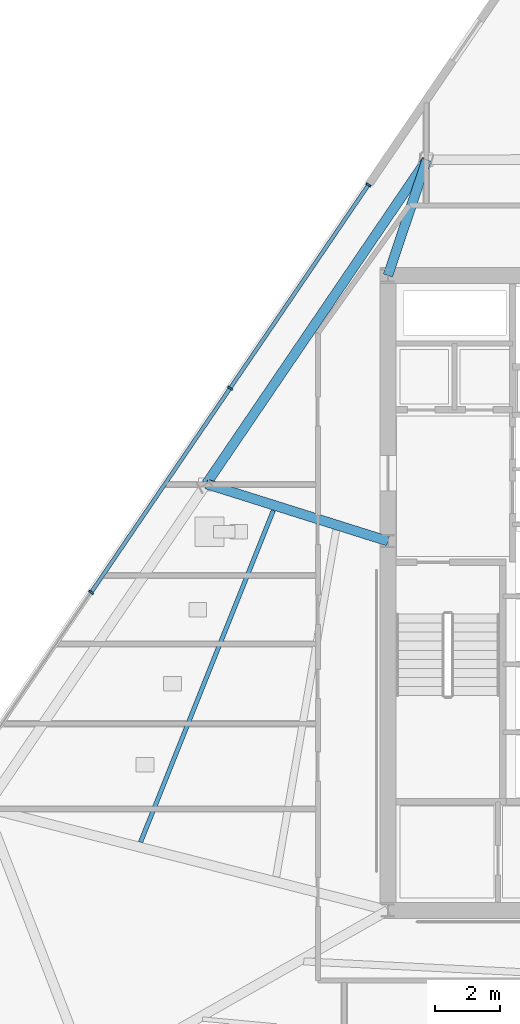
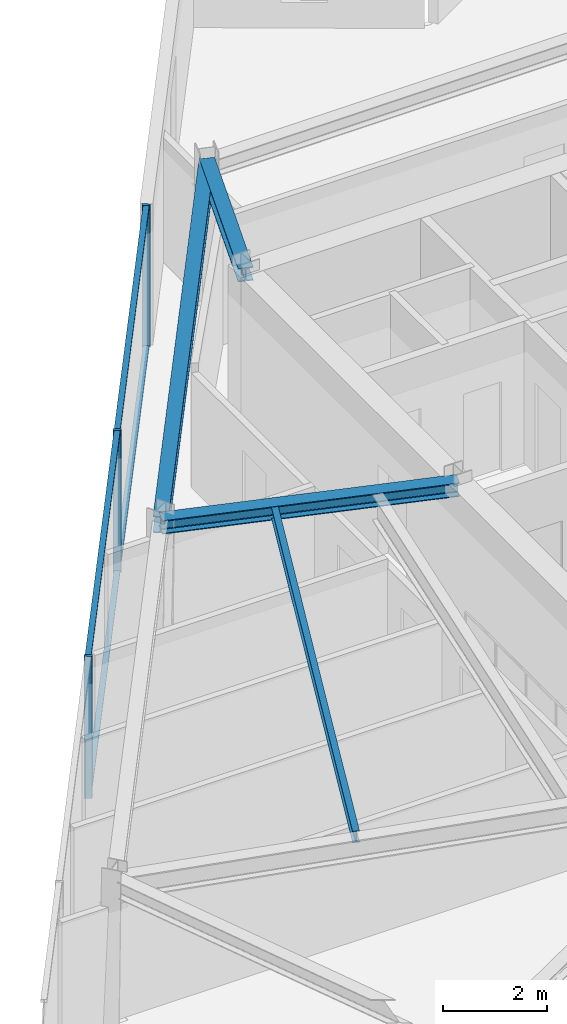
# One storey, part 4 of 15: 7 members, 4 beams, 1 element without a shape of its own.
"""IFC4 building model written with IfcOpenShell, lengths in metres."""

import ifcopenshell
import ifcopenshell.guid

model = None  # the IFC model being written
_history = None  # IfcOwnerHistory: only IFC2X3 demands one
_inside = {}  # id of a spatial element -> (the spatial element, [elements in it])
_under = {}  # id of a project, library or spatial element -> (it, [spatial elements below it])
_declared = {}  # id of a project -> (the project, [libraries it declares])
_typed = {}  # id of a type object -> (the type object, [elements of that type])
_made_of = {}  # id of a material, layer set ... -> (it, [elements and type objects made of it])


def new_model(schema):
    """Start an empty IFC model of exactly this schema.

    Asked for "IFC4X3", IfcOpenShell would pick the latest addendum, in which some entities
    have other attributes; the version numbers below select the first issue.
    IFC2X3 requires an IfcOwnerHistory on every rooted entity: one is made here for all.
    """
    global model, _history
    if schema == "IFC4X3":
        model = ifcopenshell.file(schema_version=(4, 3, 0, 0))
    else:
        model = ifcopenshell.file(schema=schema)
    _inside.clear()
    _under.clear()
    _declared.clear()
    _typed.clear()
    _made_of.clear()
    _history = None
    if model.schema == "IFC2X3":
        org = make("IfcOrganization", Name="unknown")
        user = make(
            "IfcPersonAndOrganization",
            ThePerson=make("IfcPerson", FamilyName="unknown"),
            TheOrganization=org,
        )
        app = make(
            "IfcApplication",
            ApplicationDeveloper=org,
            Version="unknown",
            ApplicationFullName="unknown",
            ApplicationIdentifier="unknown",
        )
        _history = make(
            "IfcOwnerHistory",
            OwningUser=user,
            OwningApplication=app,
            ChangeAction="ADDED",
            CreationDate=0,
        )
    return model


def make(cls, **values):
    """One entity of the class cls with the attributes given. An attribute that is None is left unset."""
    return model.create_entity(
        cls, **{name: value for name, value in values.items() if value is not None}
    )


def rooted(cls, **values):
    """An entity with a GlobalId (a new one), such as an element, a storey or a relation."""
    return make(cls, GlobalId=ifcopenshell.guid.new(), OwnerHistory=_history, **values)


def si_unit(unit_type, name, prefix=None):
    """IfcSIUnit, for example si_unit("LENGTHUNIT", "METRE", prefix="MILLI")."""
    return make("IfcSIUnit", UnitType=unit_type, Prefix=prefix, Name=name)


def assignment(units):
    """IfcUnitAssignment: the units of a project."""
    return None if units is None else make("IfcUnitAssignment", Units=units)


def point(xyz):
    """IfcCartesianPoint."""
    return None if xyz is None else make("IfcCartesianPoint", Coordinates=xyz)


def direction(xyz):
    """IfcDirection."""
    return None if xyz is None else make("IfcDirection", DirectionRatios=xyz)


def frame(location, z_axis=None, x_axis=None):
    """IfcAxis2Placement3D, a coordinate frame: its origin and axes. An axis left out is left unset."""
    return make(
        "IfcAxis2Placement3D",
        Location=point(location),
        Axis=direction(z_axis),
        RefDirection=direction(x_axis),
    )


def frame_2d(location, x_axis=None):
    """IfcAxis2Placement2D, a coordinate frame in the plane: its origin and x axis."""
    return make(
        "IfcAxis2Placement2D", Location=point(location), RefDirection=direction(x_axis)
    )


def origin():
    """The frame at (0, 0, 0) with its axes left unset."""
    return frame((0.0, 0.0, 0.0))


def origin_2d():
    """The frame at (0, 0) in the plane with its x axis left unset."""
    return frame_2d((0.0, 0.0))


def place(relative_to, where):
    """IfcLocalPlacement: puts the frame where relative to a parent placement (None: the world)."""
    return make(
        "IfcLocalPlacement", PlacementRelTo=relative_to, RelativePlacement=where
    )


def context(
    kind, dimensions, precision=None, world=None, true_north=None, identifier=None
):
    """IfcGeometricRepresentationContext, for example the 3D "Model" context."""
    return make(
        "IfcGeometricRepresentationContext",
        ContextIdentifier=identifier,
        ContextType=kind,
        CoordinateSpaceDimension=dimensions,
        Precision=precision,
        WorldCoordinateSystem=world,
        TrueNorth=true_north,
    )


def subcontext(parent, identifier, kind, view, scale=None):
    """IfcGeometricRepresentationSubContext, for example "Body" below "Model"."""
    return make(
        "IfcGeometricRepresentationSubContext",
        ContextIdentifier=identifier,
        ContextType=kind,
        ParentContext=parent,
        TargetScale=scale,
        TargetView=view,
    )


def project(units=None, contexts=None):
    """IfcProject with its units and contexts."""
    return rooted(
        "IfcProject",
        Name="project",
        RepresentationContexts=contexts,
        UnitsInContext=assignment(units),
    )


def spatial(cls, under=None, at=None, **own):
    """A site, building, storey or space (cls), placed at a placement, below another one or the project."""
    s = rooted(cls, ObjectPlacement=at, **own)
    if under is not None:
        _under.setdefault(under.id(), (under, []))[1].append(s)
    return s


def profile(cls, at=None, kind="AREA", **sizes):
    """A parametric profile (cls). Its sizes go by their IFC names, for example OverallWidth=200.0."""
    return make(cls, ProfileType=kind, Position=at, **sizes)


def rectangle(**sizes):
    """IfcRectangleProfileDef."""
    return profile("IfcRectangleProfileDef", **sizes)


def i_section(**sizes):
    """IfcIShapeProfileDef."""
    return profile("IfcIShapeProfileDef", **sizes)


def extrude(swept, where, along, depth):
    """IfcExtrudedAreaSolid: the profile swept, set in the frame where, extruded along a direction by depth."""
    return make(
        "IfcExtrudedAreaSolid",
        SweptArea=swept,
        Position=where,
        ExtrudedDirection=direction(along),
        Depth=depth,
    )


def shape(context_of_items, identifier, shape_type, items):
    """IfcShapeRepresentation: the items that make up one representation, for example the "Body"."""
    return make(
        "IfcShapeRepresentation",
        ContextOfItems=context_of_items,
        RepresentationIdentifier=identifier,
        RepresentationType=shape_type,
        Items=items,
    )


def material(Name=None, Category=None):
    """IfcMaterial."""
    return make("IfcMaterial", Name=Name, Category=Category)


def material_profile(
    of_material, cross_section, Name=None, Category=None, Priority=None
):
    """IfcMaterialProfile: a cross section and its material."""
    return make(
        "IfcMaterialProfile",
        Name=Name,
        Material=of_material,
        Profile=cross_section,
        Priority=Priority,
        Category=Category,
    )


def profile_set(profiles, Name=None, composite=None):
    """IfcMaterialProfileSet."""
    return make(
        "IfcMaterialProfileSet",
        Name=Name,
        MaterialProfiles=profiles,
        CompositeProfile=composite,
    )


def made_of(thing, what):
    """Note that an element or type object is made of a material, layer set ...; save() writes the relation."""
    if what is not None:
        _made_of.setdefault(what.id(), (what, []))[1].append(thing)
    return thing


def type_object(cls, material=None, **own):
    """A type object (cls), such as IfcWallType, which elements share."""
    return made_of(rooted(cls, **own), material)


def element(
    cls,
    number,
    at=None,
    inside=None,
    cuts=None,
    type_object=None,
    material=None,
    context=None,
    identifier="Body",
    shape_type=None,
    held_by="IfcProductDefinitionShape",
    body=None,
    shapes=None,
    **own,
):
    """One element of the class cls, such as IfcWall. Its Tag is "e" and its number.

    at: its placement. inside: the storey or other place that contains it. cuts: it is an
    opening in that element (IfcRelVoidsElement). A single representation is given by context,
    identifier, shape_type and body (its items); several are given by shapes. held_by: the class
    of the entity that holds the representations. save() writes the other relations.
    """
    e = rooted(cls, Tag="e%d" % number, ObjectPlacement=at, **own)
    if body is not None:
        shapes = [shape(context, identifier, shape_type, body)]
    if shapes is not None:
        e.Representation = make(held_by, Representations=shapes)
    if inside is not None:
        _inside.setdefault(inside.id(), (inside, []))[1].append(e)
    if cuts is not None:
        rooted(
            "IfcRelVoidsElement", RelatingBuildingElement=cuts, RelatedOpeningElement=e
        )
    if type_object is not None:
        _typed.setdefault(type_object.id(), (type_object, []))[1].append(e)
    return made_of(e, material)


def aggregate(whole, parts):
    """IfcRelAggregates: a whole, such as a stair, and the parts it consists of."""
    return rooted("IfcRelAggregates", RelatingObject=whole, RelatedObjects=parts)


def save(model, path):
    """Write the relations noted so far, then the file.

    IfcRelAggregates (storeys below a building ...), IfcRelContainedInSpatialStructure (elements
    in a storey), IfcRelDefinesByType, IfcRelAssociatesMaterial and IfcRelDeclares: one each for
    every whole, place, type object, material and project.
    """
    for whole, parts in _under.values():
        aggregate(whole, parts)
    for where, things in _inside.values():
        rooted(
            "IfcRelContainedInSpatialStructure",
            RelatedElements=things,
            RelatingStructure=where,
        )
    for kind, things in _typed.values():
        rooted("IfcRelDefinesByType", RelatedObjects=things, RelatingType=kind)
    for what, things in _made_of.values():
        rooted("IfcRelAssociatesMaterial", RelatedObjects=things, RelatingMaterial=what)
    for by, libraries in _declared.values():
        rooted("IfcRelDeclares", RelatingContext=by, RelatedDefinitions=libraries)
    model.write(path)


model = new_model("IFC4")

# Units and contexts
model_context = context("Model", 3, precision=1e-05, world=origin(), true_north=direction((0.0, 1.0)))
body_context = subcontext(model_context, "Body", "Model", "MODEL_VIEW")
ifc_project = project(units=[si_unit("LENGTHUNIT", "METRE"), si_unit("AREAUNIT", "SQUARE_METRE"), si_unit("VOLUMEUNIT", "CUBIC_METRE"), si_unit("PLANEANGLEUNIT", "RADIAN"), si_unit("MASSUNIT", "GRAM", prefix="KILO")], contexts=[model_context])

# Site, building, storey
site_placement = place(None, origin())
site = spatial("IfcSite", under=ifc_project, at=site_placement, CompositionType="ELEMENT")
building_placement = place(site_placement, origin())
building = spatial("IfcBuilding", under=site, at=building_placement, Name="Savorim Split Tower", CompositionType="ELEMENT")
storey_placement = place(building_placement, frame((0.0, 0.0, 198.300048828125)))
storey = spatial("IfcBuildingStorey", under=building, at=storey_placement, Name="L52", CompositionType="ELEMENT", Elevation=198.300048828125)

# Beams
ifc_material_1 = material(Name="Steel S355", Category="steel")
ifc_material_profile_1 = material_profile(ifc_material_1, i_section(OverallWidth=0.135009765625, OverallDepth=0.27001953125, WebThickness=0.006591796875, FlangeThickness=0.01025390625, FilletRadius=0.014892578125, at=origin_2d()), Name="IPE 270")
ifc_profile_set_1 = profile_set([ifc_material_profile_1], Name="Steel S355")
beam_type_1 = type_object("IfcBeamType", Name="BM-JST-IPE270", PredefinedType="JOIST", material=ifc_profile_set_1)
beam_1_placement = place(storey_placement, frame((-11.236572265625, 2.947509765625, 3.21484375), z_axis=(-0.371802883769, -0.928311701758, 0.0), x_axis=(0.928311701758, -0.371802883769, 0.0)))
element("IfcBeam", 1, at=beam_1_placement, inside=storey, type_object=beam_type_1, Name="L52 Secondary Floor Joist JS-10", PredefinedType="JOIST", context=body_context, shape_type="SweptSolid", body=[
    extrude(i_section(OverallWidth=0.135009765625, OverallDepth=0.27001953125, WebThickness=0.006591796875, FlangeThickness=0.01025390625, FilletRadius=0.014892578125, at=origin_2d()), origin(), (0.0, 0.0, 1.0), 11.027587890625),
])
ifc_material_profile_2 = material_profile(ifc_material_1, i_section(OverallWidth=0.300048828125, OverallDepth=0.320068359375, WebThickness=0.011474609375, FlangeThickness=0.0205078125, FilletRadius=0.027099609375, at=origin_2d()), Name="HEB 320")
ifc_profile_set_2 = profile_set([ifc_material_profile_2], Name="Steel S355")
beam_type_2 = type_object("IfcBeamType", Name="BM-PRI-HEB320", PredefinedType="BEAM", material=ifc_profile_set_2)
beam_2_placement = place(storey_placement, frame((-6.5029296875, 13.771240234375, 3.18994140625), z_axis=(-0.317802406346, -0.948156965128, 0.0), x_axis=(0.948156965128, -0.317802406346, 0.0)))
element("IfcBeam", 2, at=beam_2_placement, inside=storey, type_object=beam_type_2, Name="L52 Primary Floor Girder RG-08", PredefinedType="BEAM", context=body_context, shape_type="SweptSolid", body=[
    extrude(i_section(OverallWidth=0.300048828125, OverallDepth=0.320068359375, WebThickness=0.011474609375, FlangeThickness=0.0205078125, FilletRadius=0.027099609375, at=origin_2d()), origin(), (0.0, 0.0, 1.0), 3.7666015625),
])
beam_3_placement = place(storey_placement, frame((-13.30810546875, 3.767822265625, 3.18994140625), z_axis=(0.953737529893, -0.300640523005, 0.0), x_axis=(0.300640523005, 0.953737529893, 0.0)))
element("IfcBeam", 3, at=beam_3_placement, inside=storey, type_object=beam_type_2, Name="L52 Primary Floor Girder RG-09", PredefinedType="BEAM", context=body_context, shape_type="SweptSolid", body=[
    extrude(i_section(OverallWidth=0.300048828125, OverallDepth=0.320068359375, WebThickness=0.011474609375, FlangeThickness=0.0205078125, FilletRadius=0.027099609375, at=origin_2d()), origin(), (0.0, 0.0, 1.0), 5.880126953125),
])
ifc_material_profile_3 = material_profile(ifc_material_1, i_section(OverallWidth=0.300048828125, OverallDepth=0.389892578125, WebThickness=0.010986328125, FlangeThickness=0.01904296875, FilletRadius=0.027099609375, at=origin_2d()), Name="HEA 400")
ifc_profile_set_3 = profile_set([ifc_material_profile_3], Name="Steel S355")
beam_type_3 = type_object("IfcBeamType", Name="BM-SPN-HEA400", PredefinedType="SPANDREL", material=ifc_profile_set_3)
beam_4_placement = place(storey_placement, frame((-6.5029296875, 13.771240234375, 3.155029296875), z_axis=(-0.562471178292, -0.82681689242, 0.0), x_axis=(0.82681689242, -0.562471178292, 0.0)))
element("IfcBeam", 4, at=beam_4_placement, inside=storey, type_object=beam_type_3, Name="L52 Perimeter Spandrel Beam 8", PredefinedType="SPANDREL", context=body_context, shape_type="SweptSolid", body=[
    extrude(i_section(OverallWidth=0.300048828125, OverallDepth=0.389892578125, WebThickness=0.010986328125, FlangeThickness=0.01904296875, FilletRadius=0.027099609375, at=origin_2d()), origin(), (0.0, 0.0, 1.0), 12.0986328125),
])

# Curtain wall, members
ifc_material_2 = material(Name="Dark Ceramic-Fritted Insulated Glass", Category="glass")
curtain_wall_type = type_object("IfcCurtainWallType", Name="CW-TWR-FRIT-B", PredefinedType="NOTDEFINED", material=ifc_material_2)
curtain_wall_placement = place(storey_placement, origin())
curtain_wall = element("IfcCurtainWall", 5, at=curtain_wall_placement, inside=storey, type_object=curtain_wall_type, Name="L52 Curtain Wall CW-L52-WEST", PredefinedType="NOTDEFINED")
ifc_material_3 = material(Name="Charcoal Anodised Aluminium", Category="aluminium")
ifc_material_profile_4 = material_profile(ifc_material_3, rectangle(XDim=0.159912109375, YDim=0.06005859375, at=origin_2d()), Name="ALU-M 160x60")
ifc_profile_set_4 = profile_set([ifc_material_profile_4], Name="Charcoal Anodised Aluminium")
member_type_1 = type_object("IfcMemberType", Name="CWM-160x60", PredefinedType="MULLION", material=ifc_profile_set_4)
member_1_placement = place(storey_placement, frame((-8.30078125, 13.0009765625, 0.0), z_axis=(0.0, 0.0, 1.0), x_axis=(0.826820907104, -0.562465276773, 0.0)))
member_1 = element("IfcMember", 6, at=member_1_placement, type_object=member_type_1, Name="CW-03 mullion 1", PredefinedType="MULLION", context=body_context, shape_type="SweptSolid", body=[
    extrude(rectangle(XDim=0.159912109375, YDim=0.06005859375, at=origin_2d()), origin(), (0.0, 0.0, 1.0), 3.349853515625),
])
member_2_placement = place(storey_placement, frame((-12.57177734375, 6.72265625, 0.0), z_axis=(0.0, 0.0, 1.0), x_axis=(0.826820907104, -0.562465276773, 0.0)))
member_2 = element("IfcMember", 7, at=member_2_placement, type_object=member_type_1, Name="CW-03 mullion 2", PredefinedType="MULLION", context=body_context, shape_type="SweptSolid", body=[
    extrude(rectangle(XDim=0.159912109375, YDim=0.06005859375, at=origin_2d()), origin(), (0.0, 0.0, 1.0), 3.349853515625),
])
member_3_placement = place(storey_placement, frame((-16.85986328125, 0.419189453125, 0.0), z_axis=(0.0, 0.0, 1.0), x_axis=(0.826820907104, -0.562465276773, 0.0)))
member_3 = element("IfcMember", 8, at=member_3_placement, type_object=member_type_1, Name="CW-03 mullion 3", PredefinedType="MULLION", context=body_context, shape_type="SweptSolid", body=[
    extrude(rectangle(XDim=0.159912109375, YDim=0.06005859375, at=origin_2d()), origin(), (0.0, 0.0, 1.0), 3.349853515625),
])
ifc_material_profile_5 = material_profile(ifc_material_3, rectangle(XDim=0.1201171875, YDim=0.050048828125, at=origin_2d()), Name="ALU-T 120x50")
ifc_profile_set_5 = profile_set([ifc_material_profile_5], Name="Charcoal Anodised Aluminium")
member_type_2 = type_object("IfcMemberType", Name="CWT-120x50", PredefinedType="USERDEFINED", material=ifc_profile_set_5)
member_4_placement = place(storey_placement, frame((-8.317626953125, 12.976318359375, 0.02490234375), z_axis=(-0.562453610104, -0.826828843523, 0.0), x_axis=(0.826828843523, -0.562453610104, 0.0)))
member_4 = element("IfcMember", 9, at=member_4_placement, type_object=member_type_2, Name="CW-03 transom 1.1", ObjectType="TRANSOM", PredefinedType="USERDEFINED", context=body_context, shape_type="SweptSolid", body=[
    extrude(rectangle(XDim=0.1201171875, YDim=0.050048828125, at=origin_2d()), origin(), (0.0, 0.0, 1.0), 7.53369140625),
])
member_5_placement = place(storey_placement, frame((-8.317626953125, 12.976318359375, 3.324951171875), z_axis=(-0.562453610104, -0.826828843523, 0.0), x_axis=(0.826828843523, -0.562453610104, 0.0)))
member_5 = element("IfcMember", 10, at=member_5_placement, type_object=member_type_2, Name="CW-03 transom 1.2", ObjectType="TRANSOM", PredefinedType="USERDEFINED", context=body_context, shape_type="SweptSolid", body=[
    extrude(rectangle(XDim=0.1201171875, YDim=0.050048828125, at=origin_2d()), origin(), (0.0, 0.0, 1.0), 7.53369140625),
])
member_6_placement = place(storey_placement, frame((-12.588623046875, 6.69775390625, 0.02490234375), z_axis=(-0.562460105571, -0.826824424918, 0.0), x_axis=(0.826824424918, -0.562460105571, 0.0)))
member_6 = element("IfcMember", 11, at=member_6_placement, type_object=member_type_2, Name="CW-03 transom 2.1", ObjectType="TRANSOM", PredefinedType="USERDEFINED", context=body_context, shape_type="SweptSolid", body=[
    extrude(rectangle(XDim=0.1201171875, YDim=0.050048828125, at=origin_2d()), origin(), (0.0, 0.0, 1.0), 7.5634765625),
])
member_7_placement = place(storey_placement, frame((-12.588623046875, 6.69775390625, 3.324951171875), z_axis=(-0.562460105571, -0.826824424918, 0.0), x_axis=(0.826824424918, -0.562460105571, 0.0)))
member_7 = element("IfcMember", 12, at=member_7_placement, type_object=member_type_2, Name="CW-03 transom 2.2", ObjectType="TRANSOM", PredefinedType="USERDEFINED", context=body_context, shape_type="SweptSolid", body=[
    extrude(rectangle(XDim=0.1201171875, YDim=0.050048828125, at=origin_2d()), origin(), (0.0, 0.0, 1.0), 7.5634765625),
])
aggregate(curtain_wall, [member_1, member_2, member_3, member_4, member_5, member_6, member_7])

save(model, "model.ifc")
